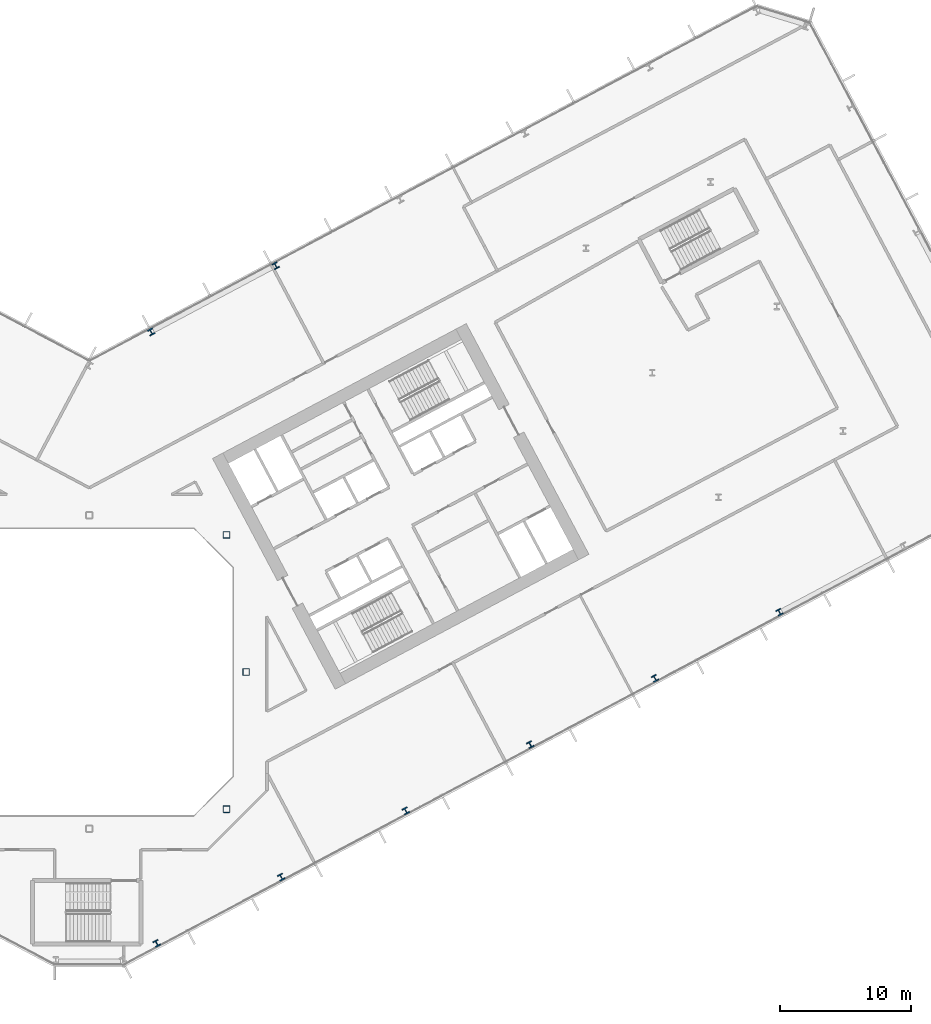
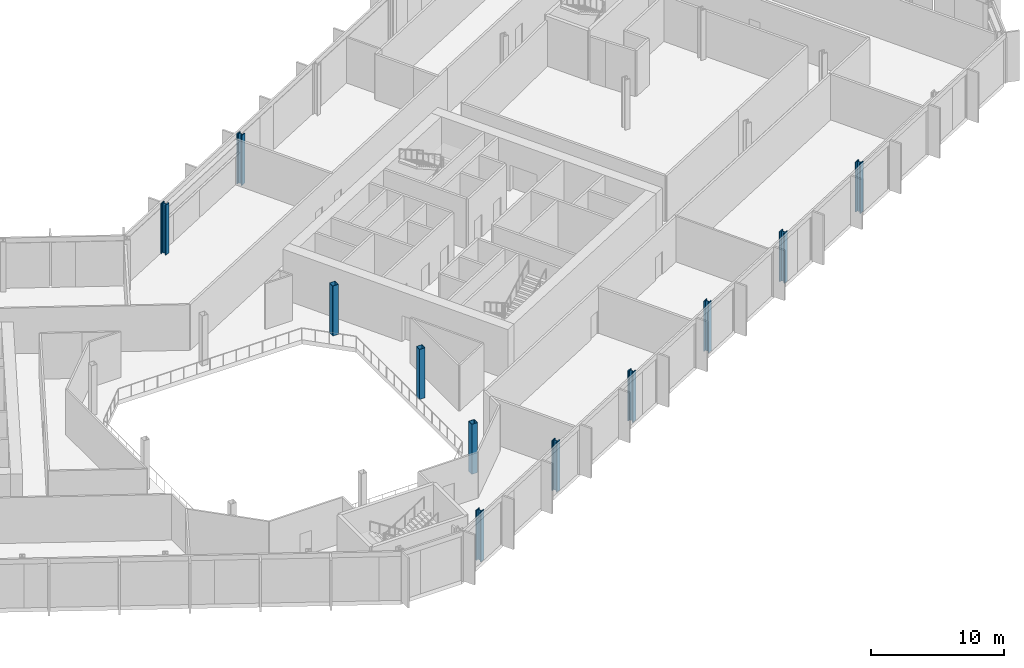
# One storey, part 3 of 30: 11 columns.
"""IFC4 building model written with IfcOpenShell, lengths in metres."""

from ifc_helpers import new_model, si_unit, direction, frame, origin, origin_2d, place, context, subcontext, project, spatial, hollow_rectangle, i_section, extrude, material, material_profile, profile_set, type_object, element, save


model = new_model("IFC4")

# Units and contexts
model_context = context("Model", 3, precision=1e-05, world=origin(), true_north=direction((0.0, 1.0)))
body_context = subcontext(model_context, "Body", "Model", "MODEL_VIEW")
ifc_project = project(units=[si_unit("LENGTHUNIT", "METRE"), si_unit("AREAUNIT", "SQUARE_METRE"), si_unit("VOLUMEUNIT", "CUBIC_METRE"), si_unit("PLANEANGLEUNIT", "RADIAN"), si_unit("MASSUNIT", "GRAM", prefix="KILO")], contexts=[model_context])

# Site, building, storey
site_placement = place(None, origin())
site = spatial("IfcSite", under=ifc_project, at=site_placement, CompositionType="ELEMENT")
building_placement = place(site_placement, origin())
building = spatial("IfcBuilding", under=site, at=building_placement, Name="Cormorant Relay Tower", CompositionType="ELEMENT")
storey_placement = place(building_placement, frame((0.0, 0.0, 80.0)))
storey = spatial("IfcBuildingStorey", under=building, at=storey_placement, Name="L15", CompositionType="ELEMENT", Elevation=80.0)

# Columns
ifc_material_1 = material(Name="Steel ASTM A500 Grade C (Fy 345 MPa)", Category="steel")
ifc_material_profile_1 = material_profile(ifc_material_1, hollow_rectangle(XDim=0.508056640625, YDim=0.508056640625, WallThickness=0.020751953125, InnerFilletRadius=0.01025390625, OuterFilletRadius=0.031005859375, at=origin_2d()), Name="HSS508x508x21")
ifc_profile_set_1 = profile_set([ifc_material_profile_1], Name="Steel ASTM A500 Grade C (Fy 345 MPa)")
column_type_1 = type_object("IfcColumnType", Name="Column HSS508x508x21", PredefinedType="COLUMN", material=ifc_profile_set_1)
for number, where, z_axis, x_axis, name in (
    (1, (10.5, -10.5, 0.0), (0.0, 0.0, 1.0), (1.0, 0.0, 0.0), "Column L15-010"),
    (2, (12.0, 0.0, 0.0), (0.0, 0.0, 1.0), (1.0, 0.0, 0.0), "Column L15-016"),
    (3, (10.5, 10.5, 0.0), (0.0, 0.0, 1.0), (1.0, 0.0, 0.0), "Column L15-023"),
):
    element("IfcColumn", number, at=place(storey_placement, frame(where, z_axis=z_axis, x_axis=x_axis)), inside=storey, type_object=column_type_1, Name=name, PredefinedType="COLUMN", context=body_context, shape_type="SweptSolid", body=[
        extrude(hollow_rectangle(XDim=0.508056640625, YDim=0.508056640625, WallThickness=0.020751953125, InnerFilletRadius=0.01025390625, OuterFilletRadius=0.031005859375, at=origin_2d()), origin(), (0.0, 0.0, 1.0), 4.60009765625),
    ])
ifc_material_2 = material(Name="Steel ASTM A992 (Fy 345 MPa)", Category="steel")
ifc_material_profile_2 = material_profile(ifc_material_2, i_section(OverallWidth=0.42431640625, OverallDepth=0.47509765625, WebThickness=0.0478515625, FlangeThickness=0.0771484375, FilletRadius=0.014892578125, at=origin_2d()), Name="W360x634")
ifc_profile_set_2 = profile_set([ifc_material_profile_2], Name="Steel ASTM A992 (Fy 345 MPa)")
column_type_2 = type_object("IfcColumnType", Name="Column W360x634", PredefinedType="COLUMN", material=ifc_profile_set_2)
for number, where, z_axis, x_axis, name in (
    (4, (5.155029296875, -20.77099609375, 0.0), (0.0, 0.0, 1.0), (0.882947592859, 0.469471562786, 0.0), "Column L15-003"),
    (5, (14.69091796875, -15.700927734375, 0.0), (0.0, 0.0, 1.0), (0.882947592859, 0.469471562786, 0.0), "Column L15-005"),
    (6, (24.22705078125, -10.631103515625, 0.0), (0.0, 0.0, 1.0), (0.882947592859, 0.469471562786, 0.0), "Column L15-008"),
    (7, (33.761962890625, -5.56005859375, 0.0), (0.0, 0.0, 1.0), (0.882947592859, 0.469471562786, 0.0), "Column L15-012"),
    (8, (43.298095703125, -0.489990234375, 0.0), (0.0, 0.0, 1.0), (0.882947592859, 0.469471562786, 0.0), "Column L15-014"),
    (9, (52.833984375, 4.580078125, 0.0), (0.0, 0.0, 1.0), (0.882947592859, 0.469471562786, 0.0), "Column L15-019"),
    (10, (4.73388671875, 26.029052734375, 0.0), (0.0, 0.0, 1.0), (-0.882947592859, -0.469471562786, 0.0), "Column L15-035"),
    (11, (14.27001953125, 31.10009765625, 0.0), (0.0, 0.0, 1.0), (-0.882947592859, -0.469471562786, 0.0), "Column L15-039"),
):
    element("IfcColumn", number, at=place(storey_placement, frame(where, z_axis=z_axis, x_axis=x_axis)), inside=storey, type_object=column_type_2, Name=name, PredefinedType="COLUMN", context=body_context, shape_type="SweptSolid", body=[
        extrude(i_section(OverallWidth=0.42431640625, OverallDepth=0.47509765625, WebThickness=0.0478515625, FlangeThickness=0.0771484375, FilletRadius=0.014892578125, at=origin_2d()), origin(), (0.0, 0.0, 1.0), 4.60009765625),
    ])

save(model, "model.ifc")
